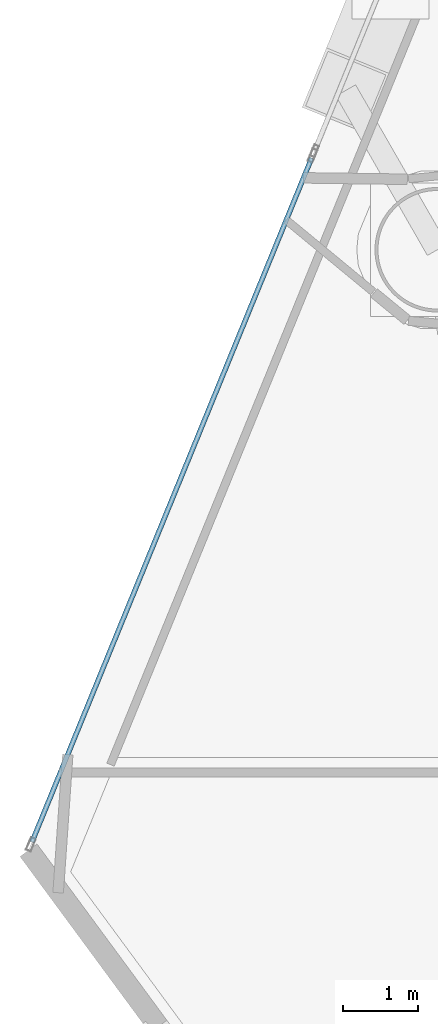
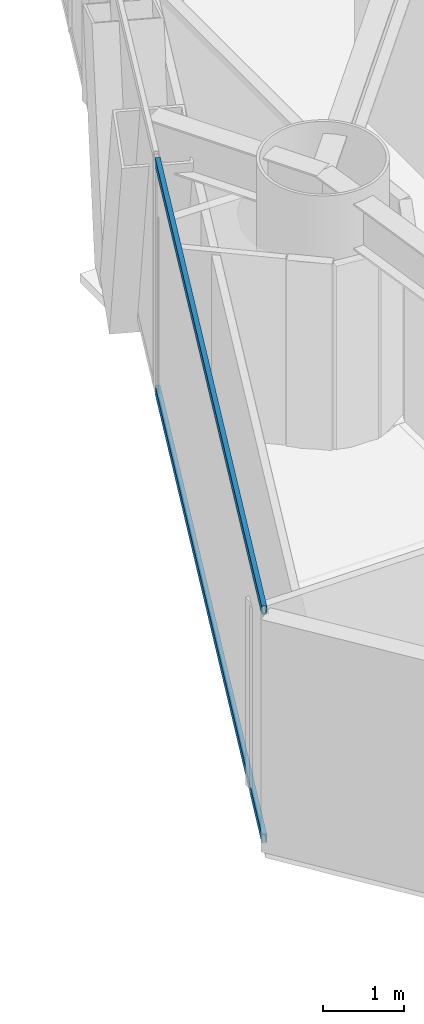
# One storey, part 5 of 23: 2 members, 1 element without a shape of its own.
"""IFC4 building model written with IfcOpenShell, lengths in metres."""

from ifc_helpers import new_model, si_unit, direction, frame, origin, origin_2d, place, context, subcontext, project, spatial, hollow_rectangle, extrude, material, layer, layer_set, material_profile, profile_set, type_object, element, aggregate, save


model = new_model("IFC4")

# Units and contexts
model_context = context("Model", 3, precision=1e-05, world=origin(), true_north=direction((0.0, 1.0)))
body_context = subcontext(model_context, "Body", "Model", "MODEL_VIEW")
ifc_project = project(units=[si_unit("LENGTHUNIT", "METRE"), si_unit("AREAUNIT", "SQUARE_METRE"), si_unit("VOLUMEUNIT", "CUBIC_METRE"), si_unit("PLANEANGLEUNIT", "RADIAN"), si_unit("MASSUNIT", "GRAM", prefix="KILO")], contexts=[model_context])

# Site, building, storey
site_placement = place(None, origin())
site = spatial("IfcSite", under=ifc_project, at=site_placement, CompositionType="ELEMENT")
building_placement = place(site_placement, origin())
building = spatial("IfcBuilding", under=site, at=building_placement, Name="Qianvela Tower", CompositionType="ELEMENT")
storey_placement = place(building_placement, frame((0.0, 0.0, 52.5)))
storey = spatial("IfcBuildingStorey", under=building, at=storey_placement, Name="L12", CompositionType="ELEMENT", Elevation=52.5)

# Curtain wall, members
ifc_material_1 = material(Name="Anodised Architectural Aluminium and Low-E Glass", Category="aluminium")
ifc_layer = layer(ifc_material_1, 0.179931640625)
ifc_layer_set = layer_set([ifc_layer], Name="Anodised Architectural Aluminium and Low-E Glass")
curtain_wall_type = type_object("IfcCurtainWallType", Name="CW-COLIV-Z12", PredefinedType="USERDEFINED", material=ifc_layer_set)
curtain_wall_placement = place(storey_placement, origin())
curtain_wall = element("IfcCurtainWall", 1, at=curtain_wall_placement, inside=storey, type_object=curtain_wall_type, Name="L12 CW-COLIV-Z12 Curtain Wall 04C", ObjectType="CURTAIN_WALL_SYSTEM", PredefinedType="USERDEFINED")
ifc_material_2 = material(Name="Anodised Architectural Aluminium 6063-T6", Category="aluminium")
ifc_material_profile = material_profile(ifc_material_2, hollow_rectangle(XDim=0.06494140625, YDim=0.1298828125, WallThickness=0.00439453125, at=origin_2d()), Name="ALU-TRAN-65x130")
ifc_profile_set = profile_set([ifc_material_profile], Name="Anodised Architectural Aluminium 6063-T6")
member_type = type_object("IfcMemberType", Name="CW-COLIV-Z12-TRAN", PredefinedType="USERDEFINED", material=ifc_profile_set)
member_1_placement = place(storey_placement, frame((21.16455078125, 31.554931640625, 0.032470703125), z_axis=(-0.378484242696, -0.925607734427, 0.0), x_axis=(0.925607734427, -0.378484242696, 0.0)))
member_1 = element("IfcMember", 2, at=member_1_placement, type_object=member_type, Name="CW-3 transom 1.1", ObjectType="TRANSOM", PredefinedType="USERDEFINED", context=body_context, shape_type="SweptSolid", body=[
    extrude(hollow_rectangle(XDim=0.06494140625, YDim=0.1298828125, WallThickness=0.00439453125, at=origin_2d()), origin(), (0.0, 0.0, 1.0), 9.787841796875),
])
member_2_placement = place(storey_placement, frame((21.16455078125, 31.554931640625, 3.487548828125), z_axis=(-0.378484242696, -0.925607734427, 0.0), x_axis=(0.925607734427, -0.378484242696, 0.0)))
member_2 = element("IfcMember", 3, at=member_2_placement, type_object=member_type, Name="CW-3 transom 1.2", ObjectType="TRANSOM", PredefinedType="USERDEFINED", context=body_context, shape_type="SweptSolid", body=[
    extrude(hollow_rectangle(XDim=0.06494140625, YDim=0.1298828125, WallThickness=0.00439453125, at=origin_2d()), origin(), (0.0, 0.0, 1.0), 9.787841796875),
])
aggregate(curtain_wall, [member_1, member_2])

save(model, "model.ifc")
